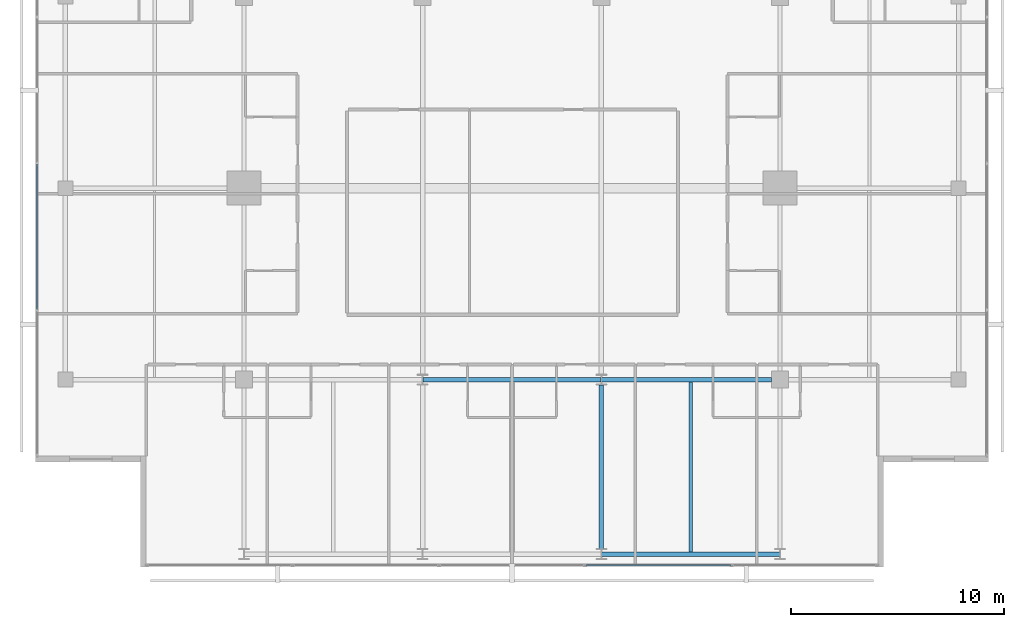
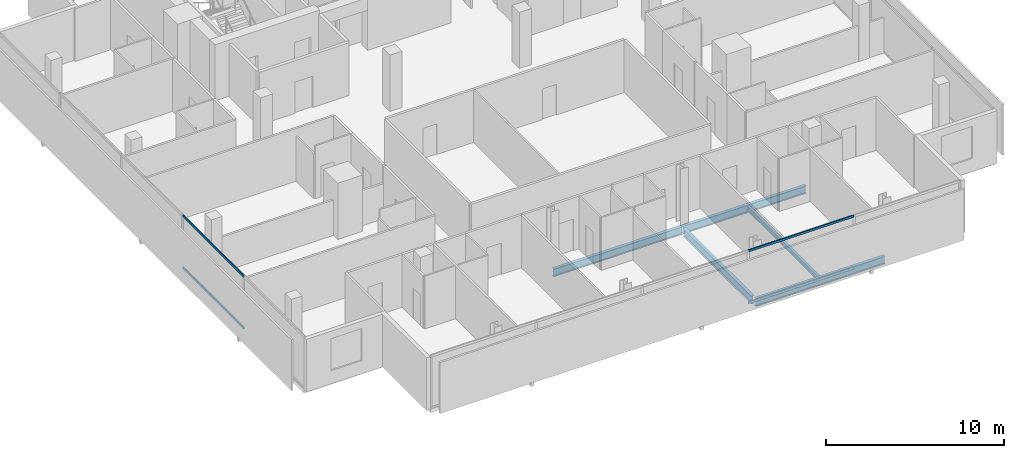
# One storey, part 7 of 25: 5 beams, 4 members, 2 elements without a shape of their own.
"""IFC4 building model written with IfcOpenShell, lengths in metres."""

from ifc_helpers import new_model, si_unit, direction, frame, origin, origin_2d, place, context, subcontext, project, spatial, hollow_rectangle, i_section, extrude, material, layer, layer_set, material_profile, profile_set, type_object, element, aggregate, save


model = new_model("IFC4")

# Units and contexts
model_context = context("Model", 3, precision=1e-05, world=origin(), true_north=direction((0.0, 1.0)))
body_context = subcontext(model_context, "Body", "Model", "MODEL_VIEW")
ifc_project = project(units=[si_unit("LENGTHUNIT", "METRE"), si_unit("AREAUNIT", "SQUARE_METRE"), si_unit("VOLUMEUNIT", "CUBIC_METRE"), si_unit("PLANEANGLEUNIT", "RADIAN"), si_unit("MASSUNIT", "GRAM", prefix="KILO")], contexts=[model_context])

# Site, building, storey
site_placement = place(None, origin())
site = spatial("IfcSite", under=ifc_project, at=site_placement, CompositionType="ELEMENT")
building_placement = place(site_placement, origin())
building = spatial("IfcBuilding", under=site, at=building_placement, Name="Maruvema Waterfront Hotel and Observation Tower", CompositionType="ELEMENT")
storey_placement = place(building_placement, frame((0.0, 0.0, 239.39990234375)))
storey = spatial("IfcBuildingStorey", under=building, at=storey_placement, Name="L58", CompositionType="ELEMENT", Elevation=239.39990234375)

# Curtain wall, members
ifc_material_1 = material(Name="Anodised bronze aluminium and solar-control low-E IGU", Category="aluminium")
ifc_layer = layer(ifc_material_1, 0.159912109375, Name="Zone 3 Champagne Inner Thermal Curtain Wall System CW-04")
ifc_layer_set = layer_set([ifc_layer], Name="Anodised bronze aluminium and solar-control low-E IGU")
curtain_wall_type = type_object("IfcCurtainWallType", Name="Zone 3 Champagne Inner Thermal Curtain Wall System CW-04", PredefinedType="USERDEFINED", material=ifc_layer_set)
curtain_wall_1_placement = place(storey_placement, origin())
curtain_wall_1 = element("IfcCurtainWall", 1, at=curtain_wall_1_placement, inside=storey, type_object=curtain_wall_type, Name="L58 Curtain Wall CW-L58-S", ObjectType="UNITISED CURTAIN WALL", PredefinedType="USERDEFINED")
ifc_material_2 = material(Name="Anodised architectural bronze aluminium", Category="aluminium")
ifc_material_profile_1 = material_profile(ifc_material_2, hollow_rectangle(XDim=0.070068359375, YDim=0.14990234375, WallThickness=0.00390625, at=origin_2d()), Name="ALU-T70x150")
ifc_profile_set_1 = profile_set([ifc_material_profile_1], Name="Anodised architectural bronze aluminium")
member_type = type_object("IfcMemberType", Name="Curtain Wall Horizontal Transom ALU-T70x150", PredefinedType="USERDEFINED", material=ifc_profile_set_1)
member_1_placement = place(storey_placement, frame((41.27001953125, 9.280029296875, 0.030029296875), z_axis=(1.0, 0.0, 0.0), x_axis=(0.0, 1.0, 0.0)))
member_1 = element("IfcMember", 2, at=member_1_placement, type_object=member_type, Name="CW-04 transom 4.1", ObjectType="TRANSOM", PredefinedType="USERDEFINED", context=body_context, shape_type="SweptSolid", body=[
    extrude(hollow_rectangle(XDim=0.070068359375, YDim=0.14990234375, WallThickness=0.00390625, at=origin_2d()), origin(), (0.0, 0.0, 1.0), 6.820068359375),
])
member_2_placement = place(storey_placement, frame((41.27001953125, 9.280029296875, 3.580078125), z_axis=(1.0, 0.0, 0.0), x_axis=(0.0, 1.0, 0.0)))
member_2 = element("IfcMember", 3, at=member_2_placement, type_object=member_type, Name="CW-04 transom 4.2", ObjectType="TRANSOM", PredefinedType="USERDEFINED", context=body_context, shape_type="SweptSolid", body=[
    extrude(hollow_rectangle(XDim=0.070068359375, YDim=0.14990234375, WallThickness=0.00390625, at=origin_2d()), origin(), (0.0, 0.0, 1.0), 6.820068359375),
])
aggregate(curtain_wall_1, [member_1, member_2])

curtain_wall_2_placement = place(storey_placement, origin())
curtain_wall_2 = element("IfcCurtainWall", 4, at=curtain_wall_2_placement, inside=storey, type_object=curtain_wall_type, Name="L58 Curtain Wall CW-L58-W", ObjectType="UNITISED CURTAIN WALL", PredefinedType="USERDEFINED")
member_3_placement = place(storey_placement, frame((15.47998046875, 28.1298828125, 0.030029296875), z_axis=(0.0, -1.0, 0.0), x_axis=(1.0, 0.0, 0.0)))
member_3 = element("IfcMember", 5, at=member_3_placement, type_object=member_type, Name="CW-04 transom 4.1", ObjectType="TRANSOM", PredefinedType="USERDEFINED", context=body_context, shape_type="SweptSolid", body=[
    extrude(hollow_rectangle(XDim=0.070068359375, YDim=0.14990234375, WallThickness=0.00390625, at=origin_2d()), origin(), (0.0, 0.0, 1.0), 6.81982421875),
])
member_4_placement = place(storey_placement, frame((15.47998046875, 28.1298828125, 3.580078125), z_axis=(0.0, -1.0, 0.0), x_axis=(1.0, 0.0, 0.0)))
member_4 = element("IfcMember", 6, at=member_4_placement, type_object=member_type, Name="CW-04 transom 4.2", ObjectType="TRANSOM", PredefinedType="USERDEFINED", context=body_context, shape_type="SweptSolid", body=[
    extrude(hollow_rectangle(XDim=0.070068359375, YDim=0.14990234375, WallThickness=0.00390625, at=origin_2d()), origin(), (0.0, 0.0, 1.0), 6.81982421875),
])
aggregate(curtain_wall_2, [member_3, member_4])

# Beams
ifc_material_3 = material(Name="Steel ASTM A572 Grade 50", Category="steel")
ifc_material_profile_2 = material_profile(ifc_material_3, i_section(OverallWidth=0.208984375, OverallDepth=0.532958984375, WebThickness=0.01025390625, FlangeThickness=0.015625, FilletRadius=0.014892578125, at=origin_2d()), Name="W530x92.0")
ifc_profile_set_2 = profile_set([ifc_material_profile_2], Name="Steel ASTM A572 Grade 50")
beam_type_1 = type_object("IfcBeamType", Name="Primary Floor Girder W530x92.0", PredefinedType="BEAM", material=ifc_profile_set_2)
for number, where, z_axis, x_axis, name in (
    (7, (42.010986328125, 9.800048828125, -0.50634765625), (1.0, 0.0, 0.0), (0.0, 1.0, 0.0), "L58 Floor Girder EW-03"),
    (8, (33.611083984375, 18.0, -0.50634765625), (1.0, 0.0, 0.0), (0.0, 1.0, 0.0), "L58 Floor Girder EW-06"),
):
    element("IfcBeam", number, at=place(storey_placement, frame(where, z_axis=z_axis, x_axis=x_axis)), inside=storey, type_object=beam_type_1, Name=name, PredefinedType="BEAM", context=body_context, shape_type="SweptSolid", body=[
        extrude(i_section(OverallWidth=0.208984375, OverallDepth=0.532958984375, WebThickness=0.01025390625, FlangeThickness=0.015625, FilletRadius=0.014892578125, at=origin_2d()), origin(), (0.0, 0.0, 1.0), 8.3779296875),
    ])
beam_1_placement = place(storey_placement, frame((42.010986328125, 18.0, -0.50634765625), z_axis=(1.0, 0.0, 0.0), x_axis=(0.0, 1.0, 0.0)))
element("IfcBeam", 9, at=beam_1_placement, inside=storey, type_object=beam_type_1, Name="L58 Floor Girder EW-07", PredefinedType="BEAM", context=body_context, shape_type="SweptSolid", body=[
    extrude(i_section(OverallWidth=0.208984375, OverallDepth=0.532958984375, WebThickness=0.01025390625, FlangeThickness=0.015625, FilletRadius=0.014892578125, at=origin_2d()), origin(), (0.0, 0.0, 1.0), 7.989013671875),
])
beam_2_placement = place(storey_placement, frame((42.0, 10.050048828125, -0.50634765625), z_axis=(0.0, 1.0, 0.0), x_axis=(-1.0, 0.0, 0.0)))
element("IfcBeam", 10, at=beam_2_placement, inside=storey, type_object=beam_type_1, Name="L58 Floor Girder NS-10", PredefinedType="BEAM", context=body_context, shape_type="SweptSolid", body=[
    extrude(i_section(OverallWidth=0.208984375, OverallDepth=0.532958984375, WebThickness=0.01025390625, FlangeThickness=0.015625, FilletRadius=0.014892578125, at=origin_2d()), origin(), (0.0, 0.0, 1.0), 7.699951171875),
])
ifc_material_4 = material(Name="Steel ASTM A572 Grade 50", Category="steel")
ifc_material_profile_3 = material_profile(ifc_material_4, i_section(OverallWidth=0.1669921875, OverallDepth=0.31689453125, WebThickness=0.007568359375, FlangeThickness=0.01318359375, FilletRadius=0.012939453125, at=origin_2d()), Name="W310x52.0")
ifc_profile_set_3 = profile_set([ifc_material_profile_3], Name="Steel ASTM A572 Grade 50")
beam_type_2 = type_object("IfcBeamType", Name="Secondary Floor Joist W310x52.0", PredefinedType="JOIST", material=ifc_profile_set_3)
beam_3_placement = place(storey_placement, frame((46.199951171875, 9.904541015625, -0.3984375), z_axis=(0.0, 1.0, 0.0), x_axis=(-1.0, 0.0, 0.0)))
element("IfcBeam", 11, at=beam_3_placement, inside=storey, type_object=beam_type_2, Name="L58 Secondary Floor Joist JS-06", PredefinedType="JOIST", context=body_context, shape_type="SweptSolid", body=[
    extrude(i_section(OverallWidth=0.1669921875, OverallDepth=0.31689453125, WebThickness=0.007568359375, FlangeThickness=0.01318359375, FilletRadius=0.012939453125, at=origin_2d()), origin(), (0.0, 0.0, 1.0), 7.990966796875),
])

save(model, "model.ifc")
